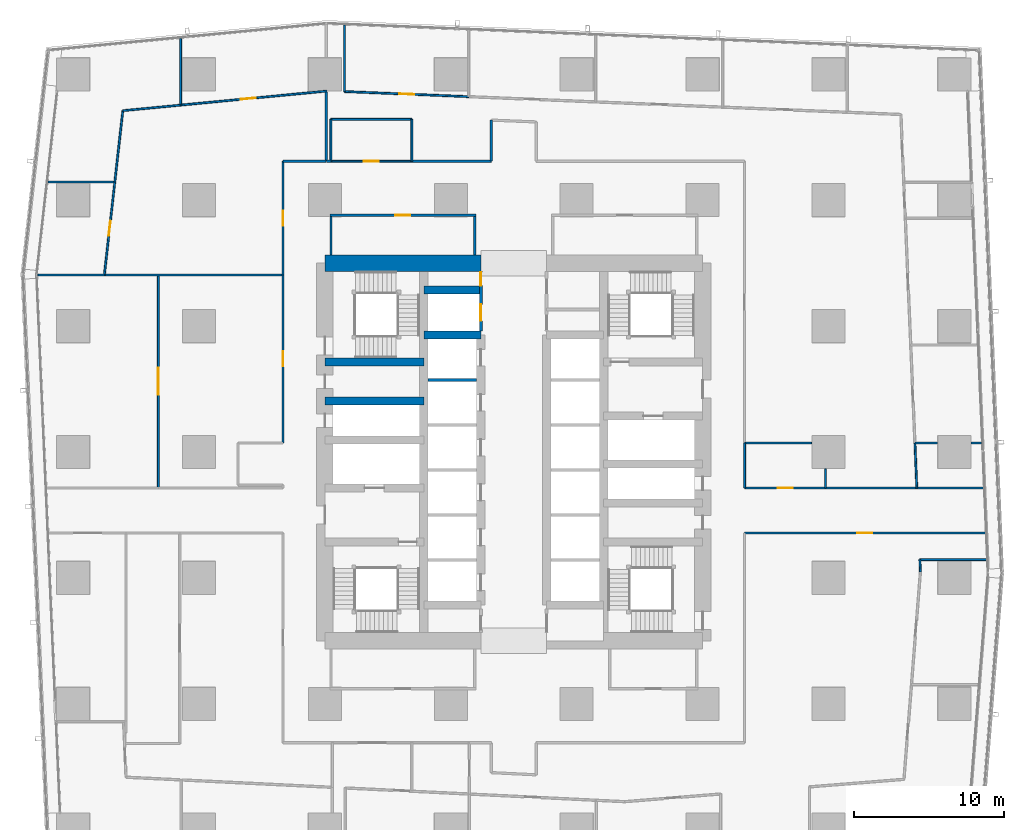
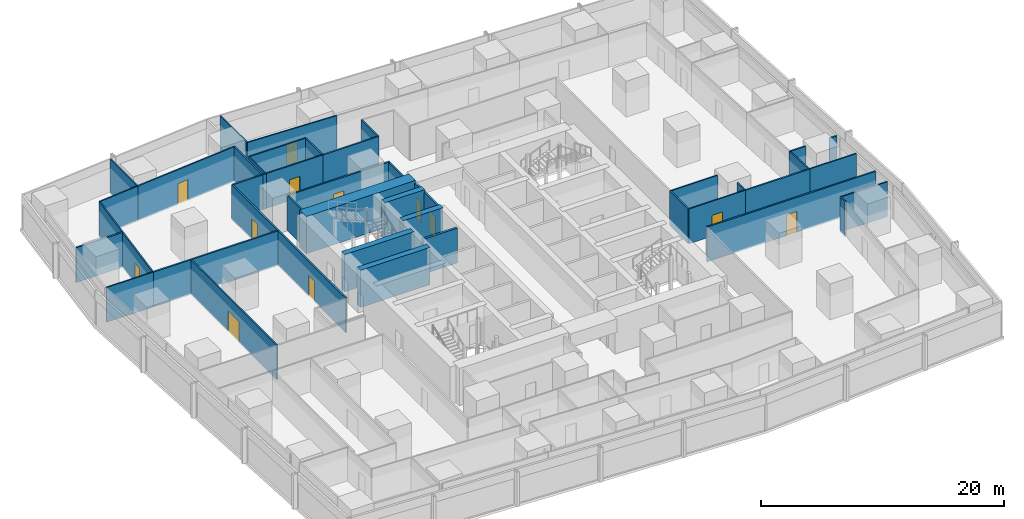
# One storey, part 34 of 45: 44 walls, 12 doors, 12 openings.
"""IFC4 building model written with IfcOpenShell, lengths in metres."""

from ifc_helpers import new_model, si_unit, direction, frame, frame_2d, origin, place, context, subcontext, project, spatial, rectangle, extrude, material, layer, layer_set, type_object, element, fill, save


model = new_model("IFC4")

# Units and contexts
model_context = context("Model", 3, precision=1e-05, world=origin(), true_north=direction((0.0, 1.0)))
body_context = subcontext(model_context, "Body", "Model", "MODEL_VIEW")
ifc_project = project(units=[si_unit("LENGTHUNIT", "METRE"), si_unit("AREAUNIT", "SQUARE_METRE"), si_unit("VOLUMEUNIT", "CUBIC_METRE"), si_unit("PLANEANGLEUNIT", "RADIAN"), si_unit("MASSUNIT", "GRAM", prefix="KILO")], contexts=[model_context])

# Site, building, storey
site_placement = place(None, origin())
site = spatial("IfcSite", under=ifc_project, at=site_placement, CompositionType="ELEMENT")
building_placement = place(site_placement, origin())
building = spatial("IfcBuilding", under=site, at=building_placement, Name="Rekha Terrace Tower", CompositionType="ELEMENT")
storey_placement = place(building_placement, frame((0.0, 0.0, 36.64990234375)))
storey = spatial("IfcBuildingStorey", under=building, at=storey_placement, Name="L08", CompositionType="ELEMENT", Elevation=36.64990234375)

# Walls
ifc_material_1 = material(Name="Concrete M70", Category="concrete")
ifc_layer_1 = layer(ifc_material_1, 0.550048828125)
ifc_layer_set_1 = layer_set([ifc_layer_1], Name="Concrete M70")
wall_type_1 = type_object("IfcWallType", Name="CI1 550 core internal shear wall", PredefinedType="SHEAR", material=ifc_layer_set_1)
for number, where, z_axis, x_axis, name in (
    (1, (31.800048828125, 41.39990234375, 0.0), (0.0, 0.0, 1.0), (1.0, 0.0, 0.0), "Core wall Y414W L08"),
    (2, (31.800048828125, 44.39990234375, 0.0), (0.0, 0.0, 1.0), (1.0, 0.0, 0.0), "Core wall Y444W L08"),
):
    element("IfcWall", number, at=place(storey_placement, frame(where, z_axis=z_axis, x_axis=x_axis)), inside=storey, type_object=wall_type_1, Name=name, PredefinedType="SHEAR", context=body_context, shape_type="SweptSolid", body=[
        extrude(rectangle(XDim=3.800048828125, YDim=0.550048828125, at=frame_2d((1.89990234375, 0.0))), origin(), (0.0, 0.0, 1.0), 3.75),
    ])
for number, where, z_axis, x_axis, name in (
    (3, (25.199951171875, 37.0, 0.0), (0.0, 0.0, 1.0), (1.0, 0.0, 0.0), "Core wall Y370W L08"),
    (4, (25.199951171875, 39.60009765625, 0.0), (0.0, 0.0, 1.0), (1.0, 0.0, 0.0), "Core wall Y396W L08"),
):
    element("IfcWall", number, at=place(storey_placement, frame(where, z_axis=z_axis, x_axis=x_axis)), inside=storey, type_object=wall_type_1, Name=name, PredefinedType="SHEAR", context=body_context, shape_type="SweptSolid", body=[
        extrude(rectangle(XDim=6.60009765625, YDim=0.550048828125, at=frame_2d((3.300048828125, 0.0))), origin(), (0.0, 0.0, 1.0), 3.75),
    ])
ifc_layer_2 = layer(ifc_material_1, 1.10009765625)
ifc_layer_set_2 = layer_set([ifc_layer_2], Name="Concrete M70")
wall_type_2 = type_object("IfcWallType", Name="SW1 1100 core outer shear wall", PredefinedType="SHEAR", material=ifc_layer_set_2)
wall_1_placement = place(storey_placement, frame((25.199951171875, 46.199951171875, 0.0), z_axis=(0.0, 0.0, 1.0), x_axis=(1.0, 0.0, 0.0)))
element("IfcWall", 5, at=wall_1_placement, inside=storey, type_object=wall_type_2, Name="Core wall N1 L08", PredefinedType="SHEAR", context=body_context, shape_type="SweptSolid", body=[
    extrude(rectangle(XDim=10.400146484375, YDim=1.10009765625, at=frame_2d((5.2001953125, 0.0))), origin(), (0.0, 0.0, 1.0), 3.75),
])

# Wall, opening, door
ifc_material_2 = material(Name="Concrete block masonry, 1 hour", Category="masonry")
ifc_layer_3 = layer(ifc_material_2, 0.14990234375)
ifc_layer_set_3 = layer_set([ifc_layer_3], Name="Concrete block masonry, 1 hour")
wall_type_3 = type_object("IfcWallType", Name="WP2 150 tenancy partition", PredefinedType="PARTITIONING", material=ifc_layer_set_3)
wall_2_placement = place(storey_placement, frame((25.52490234375, 49.39990234375, 0.0), z_axis=(0.0, 0.0, 1.0), x_axis=(1.0, 0.0, 0.0)))
wall_2 = element("IfcWall", 6, at=wall_2_placement, inside=storey, type_object=wall_type_3, Name="Women's WC wall L08", PredefinedType="PARTITIONING", context=body_context, shape_type="SweptSolid", body=[
    extrude(rectangle(XDim=9.75, YDim=0.14990234375, at=frame_2d((4.875, 0.0))), origin(), (0.0, 0.0, 1.0), 3.5),
])
opening_1_placement = place(wall_2_placement, frame((4.375, 0.0, 0.0)))
opening_1 = element("IfcOpeningElement", 7, at=opening_1_placement, cuts=wall_2, Name="Opening D3", PredefinedType="OPENING", context=body_context, shape_type="SweptSolid", body=[
    extrude(rectangle(XDim=1.0, YDim=2.10009765625, at=frame_2d((0.5, 1.050048828125))), frame((0.0, 0.0849609375, 0.0), z_axis=(0.0, -1.0, 0.0), x_axis=(1.0, 0.0, 0.0)), (0.0, 0.0, 1.0), 0.169921875),
])
ifc_material_3 = material(Name="Laminated timber fire door", Category="wood")
door_type_1 = type_object("IfcDoorType", Name="D3 1000x2100 WC door", OperationType="SINGLE_SWING_LEFT", PredefinedType="DOOR", material=ifc_material_3)
door_1_placement = place(opening_1_placement, origin())
door_1 = element("IfcDoor", 8, at=door_1_placement, inside=storey, type_object=door_type_1, Name="Door women's wc L08", OperationType="SINGLE_SWING_LEFT", OverallHeight=2.10009765625, OverallWidth=1.0, PredefinedType="DOOR", context=body_context, shape_type="SweptSolid", body=[
    extrude(rectangle(XDim=1.0, YDim=2.10009765625, at=frame_2d((0.5, 1.050048828125))), frame((0.0, 0.02490234375, 0.0), z_axis=(0.0, -1.0, 0.0), x_axis=(1.0, 0.0, 0.0)), (0.0, 0.0, 1.0), 0.050048828125),
])
fill(opening_1, door_1)

# Walls
for number, where, z_axis, x_axis, name in (
    (9, (25.60009765625, 46.75, 0.0), (0.0, 0.0, 1.0), (0.0, 1.0, 0.0), "Women's WC wall L08"),
    (10, (35.199951171875, 46.75, 0.0), (0.0, 0.0, 1.0), (0.0, 1.0, 0.0), "Women's WC wall L08"),
):
    element("IfcWall", number, at=place(storey_placement, frame(where, z_axis=z_axis, x_axis=x_axis)), inside=storey, type_object=wall_type_3, Name=name, PredefinedType="PARTITIONING", context=body_context, shape_type="SweptSolid", body=[
        extrude(rectangle(XDim=2.574951171875, YDim=0.14990234375, at=frame_2d((1.28759765625, 0.0))), origin(), (0.0, 0.0, 1.0), 3.5),
    ])

# Wall, opening, door
wall_3_placement = place(storey_placement, frame((53.199951171875, 28.199951171875, 0.0), z_axis=(0.0, 0.0, 1.0), x_axis=(1.0, 0.0, 0.0)))
wall_3 = element("IfcWall", 11, at=wall_3_placement, inside=storey, type_object=wall_type_3, Name="Partition L08-O1", PredefinedType="PARTITIONING", context=body_context, shape_type="SweptSolid", body=[
    extrude(rectangle(XDim=16.073974609375, YDim=0.14990234375, at=frame_2d((8.037109375, 0.0))), origin(), (0.0, 0.0, 1.0), 3.5),
])
opening_2_placement = place(wall_3_placement, frame((7.52197265625, 0.0, 0.0)))
opening_2 = element("IfcOpeningElement", 12, at=opening_2_placement, cuts=wall_3, Name="Opening D9", PredefinedType="OPENING", context=body_context, shape_type="SweptSolid", body=[
    extrude(rectangle(XDim=1.0, YDim=2.10009765625, at=frame_2d((0.5, 1.050048828125))), frame((0.0, 0.0849609375, 0.0), z_axis=(0.0, -1.0, 0.0), x_axis=(1.0, 0.0, 0.0)), (0.0, 0.0, 1.0), 0.169921875),
])
ifc_material_4 = material(Name="Timber fire door", Category="wood")
door_type_2 = type_object("IfcDoorType", Name="D9 1000x2100 office door", OperationType="SINGLE_SWING_LEFT", PredefinedType="DOOR", material=ifc_material_4)
door_2_placement = place(opening_2_placement, origin())
door_2 = element("IfcDoor", 13, at=door_2_placement, inside=storey, type_object=door_type_2, Name="Door open-plan office L08", OperationType="SINGLE_SWING_LEFT", OverallHeight=2.10009765625, OverallWidth=1.0, PredefinedType="DOOR", context=body_context, shape_type="SweptSolid", body=[
    extrude(rectangle(XDim=1.0, YDim=2.10009765625, at=frame_2d((0.5, 1.050048828125))), frame((0.0, 0.02490234375, 0.0), z_axis=(0.0, -1.0, 0.0), x_axis=(1.0, 0.0, 0.0)), (0.0, 0.0, 1.0), 0.050048828125),
])
fill(opening_2, door_2)

# Walls
wall_4_placement = place(storey_placement, frame((69.01708984375, 34.199951171875, 0.0), z_axis=(0.0, 0.0, 1.0), x_axis=(-1.0, 0.0, 0.0)))
element("IfcWall", 14, at=wall_4_placement, inside=storey, type_object=wall_type_3, Name="Partition L08-O3", PredefinedType="PARTITIONING", context=body_context, shape_type="SweptSolid", body=[
    extrude(rectangle(XDim=0.697021484375, YDim=0.14990234375, at=frame_2d((0.3486328125, 0.0))), origin(), (0.0, 0.0, 1.0), 3.5),
])
wall_5_placement = place(storey_placement, frame((66.080078125, 34.199951171875, 0.0), z_axis=(0.0, 0.0, 1.0), x_axis=(-1.0, 0.0, 0.0)))
element("IfcWall", 15, at=wall_5_placement, inside=storey, type_object=wall_type_3, Name="Partition L08-O3", PredefinedType="PARTITIONING", context=body_context, shape_type="SweptSolid", body=[
    extrude(rectangle(XDim=1.51708984375, YDim=0.14990234375, at=frame_2d((0.758544921875, 0.0))), origin(), (0.0, 0.0, 1.0), 3.5),
])
wall_6_placement = place(storey_placement, frame((64.69091796875, 31.199951171875, 0.0), z_axis=(0.0, 0.0, 1.0), x_axis=(-1.0, 0.0, 0.0)))
element("IfcWall", 16, at=wall_6_placement, inside=storey, type_object=wall_type_3, Name="Partition L08-O3", PredefinedType="PARTITIONING", context=body_context, shape_type="SweptSolid", body=[
    extrude(rectangle(XDim=6.0908203125, YDim=0.14990234375, at=frame_2d((3.04541015625, 0.0))), origin(), (0.0, 0.0, 1.0), 3.5),
])
wall_7_placement = place(storey_placement, frame((36.300048828125, 55.742919921875, 0.0), z_axis=(0.0, 0.0, 1.0), x_axis=(0.0, -1.0, 0.0)))
element("IfcWall", 17, at=wall_7_placement, inside=storey, type_object=wall_type_3, Name="Partition L08-O3", PredefinedType="PARTITIONING", context=body_context, shape_type="SweptSolid", body=[
    extrude(rectangle(XDim=2.742919921875, YDim=0.14990234375, at=frame_2d((1.37158203125, 0.0))), origin(), (0.0, 0.0, 1.0), 3.5),
])
wall_8_placement = place(storey_placement, frame((36.300048828125, 53.0, 0.0), z_axis=(0.0, 0.0, 1.0), x_axis=(-1.0, 0.0, 0.0)))
element("IfcWall", 18, at=wall_8_placement, inside=storey, type_object=wall_type_3, Name="Partition L08-O3", PredefinedType="PARTITIONING", context=body_context, shape_type="SweptSolid", body=[
    extrude(rectangle(XDim=5.300048828125, YDim=0.14990234375, at=frame_2d((2.64990234375, 0.0))), origin(), (0.0, 0.0, 1.0), 3.5),
])
wall_9_placement = place(storey_placement, frame((25.60009765625, 53.0, 0.0), z_axis=(0.0, 0.0, 1.0), x_axis=(-1.0, 0.0, 0.0)))
element("IfcWall", 19, at=wall_9_placement, inside=storey, type_object=wall_type_3, Name="Partition L08-O3", PredefinedType="PARTITIONING", context=body_context, shape_type="SweptSolid", body=[
    extrude(rectangle(XDim=0.30908203125, YDim=0.14990234375, at=frame_2d((0.154541015625, 0.0))), origin(), (0.0, 0.0, 1.0), 3.5),
])
wall_10_placement = place(storey_placement, frame((25.291015625, 53.0, 0.0), z_axis=(0.0, 0.0, 1.0), x_axis=(0.0, 1.0, 0.0)))
element("IfcWall", 20, at=wall_10_placement, inside=storey, type_object=wall_type_3, Name="Partition L08-O3", PredefinedType="PARTITIONING", context=body_context, shape_type="SweptSolid", body=[
    extrude(rectangle(XDim=4.613037109375, YDim=0.14990234375, at=frame_2d((2.306640625, 0.0))), origin(), (0.0, 0.0, 1.0), 3.5),
])
wall_11_placement = place(storey_placement, frame((11.1220703125, 51.617919921875, 0.0), z_axis=(0.0, 0.0, 1.0), x_axis=(-1.0, 0.0, 0.0)))
element("IfcWall", 21, at=wall_11_placement, inside=storey, type_object=wall_type_3, Name="Partition L08-O4", PredefinedType="PARTITIONING", context=body_context, shape_type="SweptSolid", body=[
    extrude(rectangle(XDim=4.385009765625, YDim=0.14990234375, at=frame_2d((2.1923828125, 0.0))), origin(), (0.0, 0.0, 1.0), 3.5),
])
wall_12_placement = place(storey_placement, frame((25.2900390625, 53.0, 0.0), z_axis=(0.0, 0.0, 1.0), x_axis=(-1.0, 0.0, 0.0)))
element("IfcWall", 22, at=wall_12_placement, inside=storey, type_object=wall_type_3, Name="Partition L08-O4", PredefinedType="PARTITIONING", context=body_context, shape_type="SweptSolid", body=[
    extrude(rectangle(XDim=2.89013671875, YDim=0.14990234375, at=frame_2d((1.445068359375, 0.0))), origin(), (0.0, 0.0, 1.0), 3.5),
])

# Wall, opening, door
wall_13_placement = place(storey_placement, frame((22.39990234375, 53.0, 0.0), z_axis=(0.0, 0.0, 1.0), x_axis=(0.0, -1.0, 0.0)))
wall_13 = element("IfcWall", 23, at=wall_13_placement, inside=storey, type_object=wall_type_3, Name="Partition L08-O4", PredefinedType="PARTITIONING", context=body_context, shape_type="SweptSolid", body=[
    extrude(rectangle(XDim=7.587890625, YDim=0.14990234375, at=frame_2d((3.7939453125, 0.0))), origin(), (0.0, 0.0, 1.0), 3.5),
])
opening_3_placement = place(wall_13_placement, frame((3.2939453125, 0.0, 0.0)))
opening_3 = element("IfcOpeningElement", 24, at=opening_3_placement, cuts=wall_13, Name="Opening D9", PredefinedType="OPENING", context=body_context, shape_type="SweptSolid", body=[
    extrude(rectangle(XDim=1.0, YDim=2.10009765625, at=frame_2d((0.5, 1.050048828125))), frame((0.0, 0.0849609375, 0.0), z_axis=(0.0, -1.0, 0.0), x_axis=(1.0, 0.0, 0.0)), (0.0, 0.0, 1.0), 0.169921875),
])
door_3_placement = place(opening_3_placement, origin())
door_3 = element("IfcDoor", 25, at=door_3_placement, inside=storey, type_object=door_type_2, Name="Door open-plan office L08", OperationType="SINGLE_SWING_LEFT", OverallHeight=2.10009765625, OverallWidth=1.0, PredefinedType="DOOR", context=body_context, shape_type="SweptSolid", body=[
    extrude(rectangle(XDim=1.0, YDim=2.10009765625, at=frame_2d((0.5, 1.050048828125))), frame((0.0, 0.02490234375, 0.0), z_axis=(0.0, -1.0, 0.0), x_axis=(1.0, 0.0, 0.0)), (0.0, 0.0, 1.0), 0.050048828125),
])
fill(opening_3, door_3)

# Wall
wall_14_placement = place(storey_placement, frame((22.39990234375, 45.412109375, 0.0), z_axis=(0.0, 0.0, 1.0), x_axis=(-1.0, 0.0, 0.0)))
element("IfcWall", 26, at=wall_14_placement, inside=storey, type_object=wall_type_3, Name="Partition L08-O4", PredefinedType="PARTITIONING", context=body_context, shape_type="SweptSolid", body=[
    extrude(rectangle(XDim=11.911865234375, YDim=0.14990234375, at=frame_2d((5.9560546875, 0.0))), origin(), (0.0, 0.0, 1.0), 3.5),
])

# Wall, opening, door
wall_15_placement = place(storey_placement, frame((22.39990234375, 45.410888671875, 0.0), z_axis=(0.0, 0.0, 1.0), x_axis=(0.0, -1.0, 0.0)))
wall_15 = element("IfcWall", 27, at=wall_15_placement, inside=storey, type_object=wall_type_3, Name="Partition L08-O5", PredefinedType="PARTITIONING", context=body_context, shape_type="SweptSolid", body=[
    extrude(rectangle(XDim=11.2109375, YDim=0.14990234375, at=frame_2d((5.60546875, 0.0))), origin(), (0.0, 0.0, 1.0), 3.5),
])
opening_4_placement = place(wall_15_placement, frame((5.10498046875, 0.0, 0.0)))
opening_4 = element("IfcOpeningElement", 28, at=opening_4_placement, cuts=wall_15, Name="Opening D9", PredefinedType="OPENING", context=body_context, shape_type="SweptSolid", body=[
    extrude(rectangle(XDim=1.0, YDim=2.10009765625, at=frame_2d((0.5, 1.050048828125))), frame((0.0, 0.0849609375, 0.0), z_axis=(0.0, -1.0, 0.0), x_axis=(1.0, 0.0, 0.0)), (0.0, 0.0, 1.0), 0.169921875),
])
door_4_placement = place(opening_4_placement, origin())
door_4 = element("IfcDoor", 29, at=door_4_placement, inside=storey, type_object=door_type_2, Name="Door open-plan office L08", OperationType="SINGLE_SWING_LEFT", OverallHeight=2.10009765625, OverallWidth=1.0, PredefinedType="DOOR", context=body_context, shape_type="SweptSolid", body=[
    extrude(rectangle(XDim=1.0, YDim=2.10009765625, at=frame_2d((0.5, 1.050048828125))), frame((0.0, 0.02490234375, 0.0), z_axis=(0.0, -1.0, 0.0), x_axis=(1.0, 0.0, 0.0)), (0.0, 0.0, 1.0), 0.050048828125),
])
fill(opening_4, door_4)

# Walls
ifc_material_5 = material(Name="Two layers of fire-rated gypsum board each side on steel studs, acoustic quilt, 1 hour", Category="steel")
ifc_layer_4 = layer(ifc_material_5, 0.125)
ifc_layer_set_4 = layer_set([ifc_layer_4], Name="Two layers of fire-rated gypsum board each side on steel studs, acoustic quilt, 1 hour")
wall_type_4 = type_object("IfcWallType", Name="WP3 125 office partition", PredefinedType="PARTITIONING", material=ifc_layer_set_4)
wall_16_placement = place(storey_placement, frame((64.929931640625, 25.60107421875, 0.0), z_axis=(0.0, 0.0, 1.0), x_axis=(-0.042596960129, 0.999092337568, 0.0)))
element("IfcWall", 30, at=wall_16_placement, inside=storey, type_object=wall_type_4, Name="Partition L08-05", PredefinedType="PARTITIONING", context=body_context, shape_type="SweptSolid", body=[
    extrude(rectangle(XDim=0.819580078125, YDim=0.125, at=frame_2d((0.40966796875, 0.0))), origin(), (0.0, 0.0, 1.0), 3.5),
])
wall_17_placement = place(storey_placement, frame((64.89501953125, 26.419921875, 0.0), z_axis=(0.0, 0.0, 1.0), x_axis=(1.0, 0.0, 0.0)))
element("IfcWall", 31, at=wall_17_placement, inside=storey, type_object=wall_type_4, Name="Partition L08-05", PredefinedType="PARTITIONING", context=body_context, shape_type="SweptSolid", body=[
    extrude(rectangle(XDim=4.455078125, YDim=0.125, at=frame_2d((2.2275390625, 0.0))), origin(), (0.0, 0.0, 1.0), 3.5),
])
wall_18_placement = place(storey_placement, frame((58.60009765625, 32.47998046875, 0.0), z_axis=(0.0, 0.0, 1.0), x_axis=(0.0, -1.0, 0.0)))
element("IfcWall", 32, at=wall_18_placement, inside=storey, type_object=wall_type_4, Name="Partition L08-09", PredefinedType="PARTITIONING", context=body_context, shape_type="SweptSolid", body=[
    extrude(rectangle(XDim=1.280029296875, YDim=0.125, at=frame_2d((0.64013671875, 0.0))), origin(), (0.0, 0.0, 1.0), 3.5),
])

# Wall, opening, door
wall_19_placement = place(storey_placement, frame((58.60009765625, 31.199951171875, 0.0), z_axis=(0.0, 0.0, 1.0), x_axis=(-1.0, 0.0, 0.0)))
wall_19 = element("IfcWall", 33, at=wall_19_placement, inside=storey, type_object=wall_type_4, Name="Partition L08-09", PredefinedType="PARTITIONING", context=body_context, shape_type="SweptSolid", body=[
    extrude(rectangle(XDim=5.400146484375, YDim=0.125, at=frame_2d((2.7001953125, 0.0))), origin(), (0.0, 0.0, 1.0), 3.5),
])
opening_5_placement = place(wall_19_placement, frame((2.199951171875, 0.0, 0.0)))
opening_5 = element("IfcOpeningElement", 34, at=opening_5_placement, cuts=wall_19, Name="Opening D9", PredefinedType="OPENING", context=body_context, shape_type="SweptSolid", body=[
    extrude(rectangle(XDim=1.0, YDim=2.10009765625, at=frame_2d((0.5, 1.050048828125))), frame((0.0, 0.072509765625, 0.0), z_axis=(0.0, -1.0, 0.0), x_axis=(1.0, 0.0, 0.0)), (0.0, 0.0, 1.0), 0.14501953125),
])
door_5_placement = place(opening_5_placement, origin())
door_5 = element("IfcDoor", 35, at=door_5_placement, inside=storey, type_object=door_type_2, Name="Door reception L08", OperationType="SINGLE_SWING_LEFT", OverallHeight=2.10009765625, OverallWidth=1.0, PredefinedType="DOOR", context=body_context, shape_type="SweptSolid", body=[
    extrude(rectangle(XDim=1.0, YDim=2.10009765625, at=frame_2d((0.5, 1.050048828125))), frame((0.0, 0.02490234375, 0.0), z_axis=(0.0, -1.0, 0.0), x_axis=(1.0, 0.0, 0.0)), (0.0, 0.0, 1.0), 0.050048828125),
])
fill(opening_5, door_5)

# Walls
wall_20_placement = place(storey_placement, frame((53.199951171875, 31.199951171875, 0.0), z_axis=(0.0, 0.0, 1.0), x_axis=(0.0, 1.0, 0.0)))
element("IfcWall", 36, at=wall_20_placement, inside=storey, type_object=wall_type_4, Name="Partition L08-09", PredefinedType="PARTITIONING", context=body_context, shape_type="SweptSolid", body=[
    extrude(rectangle(XDim=3.0, YDim=0.125, at=frame_2d((1.5, 0.0))), origin(), (0.0, 0.0, 1.0), 3.5),
])
wall_21_placement = place(storey_placement, frame((53.199951171875, 34.199951171875, 0.0), z_axis=(0.0, 0.0, 1.0), x_axis=(1.0, 0.0, 0.0)))
element("IfcWall", 37, at=wall_21_placement, inside=storey, type_object=wall_type_4, Name="Partition L08-09", PredefinedType="PARTITIONING", context=body_context, shape_type="SweptSolid", body=[
    extrude(rectangle(XDim=4.47998046875, YDim=0.125, at=frame_2d((2.239990234375, 0.0))), origin(), (0.0, 0.0, 1.0), 3.5),
])
wall_22_placement = place(storey_placement, frame((69.14501953125, 31.199951171875, 0.0), z_axis=(0.0, 0.0, 1.0), x_axis=(-1.0, 0.0, 0.0)))
element("IfcWall", 38, at=wall_22_placement, inside=storey, type_object=wall_type_4, Name="Partition L08-10", PredefinedType="PARTITIONING", context=body_context, shape_type="SweptSolid", body=[
    extrude(rectangle(XDim=4.4541015625, YDim=0.125, at=frame_2d((2.22705078125, 0.0))), origin(), (0.0, 0.0, 1.0), 3.5),
])
wall_23_placement = place(storey_placement, frame((64.69091796875, 31.199951171875, 0.0), z_axis=(0.0, 0.0, 1.0), x_axis=(-0.042604509782, 0.999092015655, 0.0)))
element("IfcWall", 39, at=wall_23_placement, inside=storey, type_object=wall_type_4, Name="Partition L08-10", PredefinedType="PARTITIONING", context=body_context, shape_type="SweptSolid", body=[
    extrude(rectangle(XDim=3.002685546875, YDim=0.125, at=frame_2d((1.50146484375, 0.0))), origin(), (0.0, 0.0, 1.0), 3.5),
])

# Wall, opening, door
wall_24_placement = place(storey_placement, frame((34.800048828125, 57.305908203125, 0.0), z_axis=(0.0, 0.0, 1.0), x_axis=(-0.999154762276, 0.041106702877, 0.0)))
wall_24 = element("IfcWall", 40, at=wall_24_placement, inside=storey, type_object=wall_type_4, Name="Partition L08-17", PredefinedType="PARTITIONING", context=body_context, shape_type="SweptSolid", body=[
    extrude(rectangle(XDim=8.297119140625, YDim=0.125, at=frame_2d((4.1484375, 0.0))), origin(), (0.0, 0.0, 1.0), 3.5),
])
opening_6_placement = place(wall_24_placement, frame((3.64892578125, 0.0, 0.0)))
opening_6 = element("IfcOpeningElement", 41, at=opening_6_placement, cuts=wall_24, Name="Opening D9", PredefinedType="OPENING", context=body_context, shape_type="SweptSolid", body=[
    extrude(rectangle(XDim=1.0, YDim=2.10009765625, at=frame_2d((0.5, 1.050048828125))), frame((0.0, 0.072509765625, 0.0), z_axis=(0.0, -1.0, 0.0), x_axis=(1.0, 0.0, 0.0)), (0.0, 0.0, 1.0), 0.14501953125),
])
door_6_placement = place(opening_6_placement, origin())
door_6 = element("IfcDoor", 42, at=door_6_placement, inside=storey, type_object=door_type_2, Name="Door office L08", OperationType="SINGLE_SWING_LEFT", OverallHeight=2.10009765625, OverallWidth=1.0, PredefinedType="DOOR", context=body_context, shape_type="SweptSolid", body=[
    extrude(rectangle(XDim=1.0, YDim=2.10009765625, at=frame_2d((0.5, 1.050048828125))), frame((0.0, 0.02490234375, 0.0), z_axis=(0.0, -1.0, 0.0), x_axis=(1.0, 0.0, 0.0)), (0.0, 0.0, 1.0), 0.050048828125),
])
fill(opening_6, door_6)

# Walls
wall_25_placement = place(storey_placement, frame((26.510009765625, 57.64697265625, 0.0), z_axis=(0.0, 0.0, 1.0), x_axis=(0.0, 1.0, 0.0)))
element("IfcWall", 43, at=wall_25_placement, inside=storey, type_object=wall_type_4, Name="Partition L08-17", PredefinedType="PARTITIONING", context=body_context, shape_type="SweptSolid", body=[
    extrude(rectangle(XDim=4.424072265625, YDim=0.125, at=frame_2d((2.2119140625, 0.0))), origin(), (0.0, 0.0, 1.0), 3.5),
])
wall_26_placement = place(storey_placement, frame((25.60009765625, 55.794921875, 0.0), z_axis=(0.0, 0.0, 1.0), x_axis=(1.0, 0.0, 0.0)))
element("IfcWall", 44, at=wall_26_placement, inside=storey, type_object=wall_type_4, Name="Partition L08-18", PredefinedType="PARTITIONING", context=body_context, shape_type="SweptSolid", body=[
    extrude(rectangle(XDim=5.39990234375, YDim=0.125, at=frame_2d((2.699951171875, 0.0))), origin(), (0.0, 0.0, 1.0), 3.5),
])
wall_27_placement = place(storey_placement, frame((31.0, 55.794921875, 0.0), z_axis=(0.0, 0.0, 1.0), x_axis=(0.0, -1.0, 0.0)))
element("IfcWall", 45, at=wall_27_placement, inside=storey, type_object=wall_type_4, Name="Partition L08-18", PredefinedType="PARTITIONING", context=body_context, shape_type="SweptSolid", body=[
    extrude(rectangle(XDim=2.794921875, YDim=0.125, at=frame_2d((1.3974609375, 0.0))), origin(), (0.0, 0.0, 1.0), 3.5),
])

# Wall, opening, door
wall_28_placement = place(storey_placement, frame((31.0, 53.0, 0.0), z_axis=(0.0, 0.0, 1.0), x_axis=(-1.0, 0.0, 0.0)))
wall_28 = element("IfcWall", 46, at=wall_28_placement, inside=storey, type_object=wall_type_4, Name="Partition L08-18", PredefinedType="PARTITIONING", context=body_context, shape_type="SweptSolid", body=[
    extrude(rectangle(XDim=5.39990234375, YDim=0.125, at=frame_2d((2.699951171875, 0.0))), origin(), (0.0, 0.0, 1.0), 3.5),
])
opening_7_placement = place(wall_28_placement, frame((2.199951171875, 0.0, 0.0)))
opening_7 = element("IfcOpeningElement", 47, at=opening_7_placement, cuts=wall_28, Name="Opening D9", PredefinedType="OPENING", context=body_context, shape_type="SweptSolid", body=[
    extrude(rectangle(XDim=1.0, YDim=2.10009765625, at=frame_2d((0.5, 1.050048828125))), frame((0.0, 0.072509765625, 0.0), z_axis=(0.0, -1.0, 0.0), x_axis=(1.0, 0.0, 0.0)), (0.0, 0.0, 1.0), 0.14501953125),
])
door_7_placement = place(opening_7_placement, origin())
door_7 = element("IfcDoor", 48, at=door_7_placement, inside=storey, type_object=door_type_2, Name="Door reception L08", OperationType="SINGLE_SWING_LEFT", OverallHeight=2.10009765625, OverallWidth=1.0, PredefinedType="DOOR", context=body_context, shape_type="SweptSolid", body=[
    extrude(rectangle(XDim=1.0, YDim=2.10009765625, at=frame_2d((0.5, 1.050048828125))), frame((0.0, 0.02490234375, 0.0), z_axis=(0.0, -1.0, 0.0), x_axis=(1.0, 0.0, 0.0)), (0.0, 0.0, 1.0), 0.050048828125),
])
fill(opening_7, door_7)

# Wall
wall_29_placement = place(storey_placement, frame((25.60009765625, 53.0, 0.0), z_axis=(0.0, 0.0, 1.0), x_axis=(0.0, 1.0, 0.0)))
element("IfcWall", 49, at=wall_29_placement, inside=storey, type_object=wall_type_4, Name="Partition L08-18", PredefinedType="PARTITIONING", context=body_context, shape_type="SweptSolid", body=[
    extrude(rectangle(XDim=2.794921875, YDim=0.125, at=frame_2d((1.3974609375, 0.0))), origin(), (0.0, 0.0, 1.0), 3.5),
])

# Wall, opening, door
wall_30_placement = place(storey_placement, frame((25.3310546875, 57.679931640625, 0.0), z_axis=(0.0, 0.0, 1.0), x_axis=(-0.995411812081, -0.095683459231, 0.0)))
wall_30 = element("IfcWall", 50, at=wall_30_placement, inside=storey, type_object=wall_type_4, Name="Partition L08-19", PredefinedType="PARTITIONING", context=body_context, shape_type="SweptSolid", body=[
    extrude(rectangle(XDim=9.802978515625, YDim=0.125, at=frame_2d((4.9013671875, 0.0))), origin(), (0.0, 0.0, 1.0), 3.5),
])
opening_8_placement = place(wall_30_placement, frame((4.76806640625, 0.0, 0.0)))
opening_8 = element("IfcOpeningElement", 51, at=opening_8_placement, cuts=wall_30, Name="Opening D9", PredefinedType="OPENING", context=body_context, shape_type="SweptSolid", body=[
    extrude(rectangle(XDim=1.0, YDim=2.10009765625, at=frame_2d((0.5, 1.050048828125))), frame((0.0, 0.072509765625, 0.0), z_axis=(0.0, -1.0, 0.0), x_axis=(1.0, 0.0, 0.0)), (0.0, 0.0, 1.0), 0.14501953125),
])
door_8_placement = place(opening_8_placement, origin())
door_8 = element("IfcDoor", 52, at=door_8_placement, inside=storey, type_object=door_type_2, Name="Door office L08", OperationType="SINGLE_SWING_LEFT", OverallHeight=2.10009765625, OverallWidth=1.0, PredefinedType="DOOR", context=body_context, shape_type="SweptSolid", body=[
    extrude(rectangle(XDim=1.0, YDim=2.10009765625, at=frame_2d((0.5, 1.050048828125))), frame((0.0, 0.02490234375, 0.0), z_axis=(0.0, -1.0, 0.0), x_axis=(1.0, 0.0, 0.0)), (0.0, 0.0, 1.0), 0.050048828125),
])
fill(opening_8, door_8)

# Walls
wall_31_placement = place(storey_placement, frame((15.572998046875, 56.741943359375, 0.0), z_axis=(0.0, 0.0, 1.0), x_axis=(0.0, 1.0, 0.0)))
element("IfcWall", 53, at=wall_31_placement, inside=storey, type_object=wall_type_4, Name="Partition L08-19", PredefinedType="PARTITIONING", context=body_context, shape_type="SweptSolid", body=[
    extrude(rectangle(XDim=4.43994140625, YDim=0.125, at=frame_2d((2.219970703125, 0.0))), origin(), (0.0, 0.0, 1.0), 3.5),
])
wall_32_placement = place(storey_placement, frame((15.572021484375, 56.740966796875, 0.0), z_axis=(0.0, 0.0, 1.0), x_axis=(-0.995424039812, -0.095556166539, 0.0)))
element("IfcWall", 54, at=wall_32_placement, inside=storey, type_object=wall_type_4, Name="Partition L08-20", PredefinedType="PARTITIONING", context=body_context, shape_type="SweptSolid", body=[
    extrude(rectangle(XDim=3.870849609375, YDim=0.125, at=frame_2d((1.935546875, 0.0))), origin(), (0.0, 0.0, 1.0), 3.5),
])
wall_33_placement = place(storey_placement, frame((11.718994140625, 56.37109375, 0.0), z_axis=(0.0, 0.0, 1.0), x_axis=(-0.111681309881, -0.993744074208, 0.0)))
element("IfcWall", 55, at=wall_33_placement, inside=storey, type_object=wall_type_4, Name="Partition L08-20", PredefinedType="PARTITIONING", context=body_context, shape_type="SweptSolid", body=[
    extrude(rectangle(XDim=4.781005859375, YDim=0.125, at=frame_2d((2.390625, 0.0))), origin(), (0.0, 0.0, 1.0), 3.5),
])

# Wall, opening, door
wall_34_placement = place(storey_placement, frame((11.18505859375, 51.6201171875, 0.0), z_axis=(0.0, 0.0, 1.0), x_axis=(-0.111576721485, -0.993755822737, 0.0)))
wall_34 = element("IfcWall", 56, at=wall_34_placement, inside=storey, type_object=wall_type_4, Name="Partition L08-20", PredefinedType="PARTITIONING", context=body_context, shape_type="SweptSolid", body=[
    extrude(rectangle(XDim=6.2470703125, YDim=0.125, at=frame_2d((3.12353515625, 0.0))), origin(), (0.0, 0.0, 1.0), 3.5),
])
opening_9_placement = place(wall_34_placement, frame((2.6240234375, 0.0, 0.0)))
opening_9 = element("IfcOpeningElement", 57, at=opening_9_placement, cuts=wall_34, Name="Opening D9", PredefinedType="OPENING", context=body_context, shape_type="SweptSolid", body=[
    extrude(rectangle(XDim=1.0, YDim=2.10009765625, at=frame_2d((0.5, 1.050048828125))), frame((0.0, 0.072509765625, 0.0), z_axis=(0.0, -1.0, 0.0), x_axis=(1.0, 0.0, 0.0)), (0.0, 0.0, 1.0), 0.14501953125),
])
door_9_placement = place(opening_9_placement, origin())
door_9 = element("IfcDoor", 58, at=door_9_placement, inside=storey, type_object=door_type_2, Name="Door manager's office L08", OperationType="SINGLE_SWING_LEFT", OverallHeight=2.10009765625, OverallWidth=1.0, PredefinedType="DOOR", context=body_context, shape_type="SweptSolid", body=[
    extrude(rectangle(XDim=1.0, YDim=2.10009765625, at=frame_2d((0.5, 1.050048828125))), frame((0.0, 0.02490234375, 0.0), z_axis=(0.0, -1.0, 0.0), x_axis=(1.0, 0.0, 0.0)), (0.0, 0.0, 1.0), 0.050048828125),
])
fill(opening_9, door_9)

# Wall
wall_35_placement = place(storey_placement, frame((10.488037109375, 45.412109375, 0.0), z_axis=(0.0, 0.0, 1.0), x_axis=(-1.0, 0.0, 0.0)))
element("IfcWall", 59, at=wall_35_placement, inside=storey, type_object=wall_type_4, Name="Partition L08-20", PredefinedType="PARTITIONING", context=body_context, shape_type="SweptSolid", body=[
    extrude(rectangle(XDim=4.444091796875, YDim=0.125, at=frame_2d((2.22216796875, 0.0))), origin(), (0.0, 0.0, 1.0), 3.5),
])

# Wall, opening, door
wall_36_placement = place(storey_placement, frame((14.090087890625, 45.3369140625, 0.0), z_axis=(0.0, 0.0, 1.0), x_axis=(0.0, -1.0, 0.0)))
wall_36 = element("IfcWall", 60, at=wall_36_placement, inside=storey, type_object=wall_type_4, Name="Partition L08-21", PredefinedType="PARTITIONING", context=body_context, shape_type="SweptSolid", body=[
    extrude(rectangle(XDim=14.136962890625, YDim=0.125, at=frame_2d((7.068359375, 0.0))), origin(), (0.0, 0.0, 1.0), 3.5),
])
opening_10_placement = place(wall_36_placement, frame((6.131103515625, 0.0, 0.0)))
opening_10 = element("IfcOpeningElement", 61, at=opening_10_placement, cuts=wall_36, Name="Opening D8", PredefinedType="OPENING", context=body_context, shape_type="SweptSolid", body=[
    extrude(rectangle(XDim=1.800048828125, YDim=2.10009765625, at=frame_2d((0.89990234375, 1.050048828125))), frame((0.0, 0.072509765625, 0.0), z_axis=(0.0, -1.0, 0.0), x_axis=(1.0, 0.0, 0.0)), (0.0, 0.0, 1.0), 0.14501953125),
])
door_type_3 = type_object("IfcDoorType", Name="D8 1800x2100 double leaf door", OperationType="DOUBLE_DOOR_SINGLE_SWING", PredefinedType="DOOR", material=ifc_material_4)
door_10_placement = place(opening_10_placement, origin())
door_10 = element("IfcDoor", 62, at=door_10_placement, inside=storey, type_object=door_type_3, Name="Door print room L08", OperationType="DOUBLE_DOOR_SINGLE_SWING", OverallHeight=2.10009765625, OverallWidth=1.800048828125, PredefinedType="DOOR", context=body_context, shape_type="SweptSolid", body=[
    extrude(rectangle(XDim=1.800048828125, YDim=2.10009765625, at=frame_2d((0.89990234375, 1.050048828125))), frame((0.0, 0.02490234375, 0.0), z_axis=(0.0, -1.0, 0.0), x_axis=(1.0, 0.0, 0.0)), (0.0, 0.0, 1.0), 0.050048828125),
])
fill(opening_10, door_10)

# Wall
ifc_material_6 = material(Name="Solid concrete block masonry, 2 hour", Category="masonry")
ifc_layer_5 = layer(ifc_material_6, 0.199951171875)
ifc_layer_set_5 = layer_set([ifc_layer_5], Name="Solid concrete block masonry, 2 hour")
wall_type_5 = type_object("IfcWallType", Name="WS1 200 stair and shaft enclosure", PredefinedType="PARTITIONING", material=ifc_layer_set_5)
wall_37_placement = place(storey_placement, frame((32.074951171875, 38.39990234375, 0.0), z_axis=(0.0, 0.0, 1.0), x_axis=(1.0, 0.0, 0.0)))
element("IfcWall", 63, at=wall_37_placement, inside=storey, type_object=wall_type_5, Name="Lift shaft divider L08", PredefinedType="PARTITIONING", context=body_context, shape_type="SweptSolid", body=[
    extrude(rectangle(XDim=3.25, YDim=0.199951171875, at=frame_2d((1.625, 0.0))), origin(), (0.0, 0.0, 1.0), 3.5),
])

# Wall, openings, doors
wall_38_placement = place(storey_placement, frame((35.60009765625, 41.675048828125, 0.0), z_axis=(0.0, 0.0, 1.0), x_axis=(0.0, 1.0, 0.0)))
wall_38 = element("IfcWall", 64, at=wall_38_placement, inside=storey, type_object=wall_type_5, Name="Core partition jansv L08", PredefinedType="PARTITIONING", context=body_context, shape_type="SweptSolid", body=[
    extrude(rectangle(XDim=3.974853515625, YDim=0.199951171875, at=frame_2d((1.9873046875, 0.0))), origin(), (0.0, 0.0, 1.0), 3.5),
])
opening_11_placement = place(wall_38_placement, frame((3.02490234375, 0.0, 0.0)))
opening_11 = element("IfcOpeningElement", 65, at=opening_11_placement, cuts=wall_38, Name="Opening D5", PredefinedType="OPENING", context=body_context, shape_type="SweptSolid", body=[
    extrude(rectangle(XDim=0.89990234375, YDim=2.10009765625, at=frame_2d((0.449951171875, 1.050048828125))), frame((0.0, 0.10986328125, 0.0), z_axis=(0.0, -1.0, 0.0), x_axis=(1.0, 0.0, 0.0)), (0.0, 0.0, 1.0), 0.219970703125),
])
opening_12_placement = place(wall_38_placement, frame((0.675048828125, 0.0, 0.0)))
opening_12 = element("IfcOpeningElement", 66, at=opening_12_placement, cuts=wall_38, Name="Opening LD1", PredefinedType="OPENING", context=body_context, shape_type="SweptSolid", body=[
    extrude(rectangle(XDim=1.10009765625, YDim=2.10009765625, at=frame_2d((0.550048828125, 1.050048828125))), frame((0.0, 0.10986328125, 0.0), z_axis=(0.0, -1.0, 0.0), x_axis=(1.0, 0.0, 0.0)), (0.0, 0.0, 1.0), 0.219970703125),
])
ifc_material_7 = material(Name="Steel fire door", Category="steel")
door_type_4 = type_object("IfcDoorType", Name="D5 900x2100 riser access door", OperationType="SINGLE_SWING_LEFT", PredefinedType="DOOR", material=ifc_material_7)
door_11_placement = place(opening_11_placement, origin())
door_11 = element("IfcDoor", 67, at=door_11_placement, inside=storey, type_object=door_type_4, Name="Door janitor room L08", OperationType="SINGLE_SWING_LEFT", OverallHeight=2.10009765625, OverallWidth=0.89990234375, PredefinedType="DOOR", context=body_context, shape_type="SweptSolid", body=[
    extrude(rectangle(XDim=0.89990234375, YDim=2.10009765625, at=frame_2d((0.449951171875, 1.050048828125))), frame((0.0, 0.02490234375, 0.0), z_axis=(0.0, -1.0, 0.0), x_axis=(1.0, 0.0, 0.0)), (0.0, 0.0, 1.0), 0.050048828125),
])
fill(opening_11, door_11)
ifc_material_8 = material(Name="Stainless steel sliding landing door", Category="steel")
door_type_5 = type_object("IfcDoorType", Name="LD1 1100x2100 lift landing door", OperationType="SLIDING_TO_LEFT", PredefinedType="USERDEFINED", material=ifc_material_8)
door_12_placement = place(opening_12_placement, origin())
door_12 = element("IfcDoor", 68, at=door_12_placement, inside=storey, type_object=door_type_5, Name="Lift SV1 landing door L08", ObjectType="LIFT LANDING DOOR", OperationType="SLIDING_TO_LEFT", OverallHeight=2.10009765625, OverallWidth=1.10009765625, PredefinedType="USERDEFINED", context=body_context, shape_type="SweptSolid", body=[
    extrude(rectangle(XDim=1.10009765625, YDim=2.10009765625, at=frame_2d((0.550048828125, 1.050048828125))), frame((0.0, 0.02490234375, 0.0), z_axis=(0.0, -1.0, 0.0), x_axis=(1.0, 0.0, 0.0)), (0.0, 0.0, 1.0), 0.050048828125),
])
fill(opening_12, door_12)

save(model, "model.ifc")
